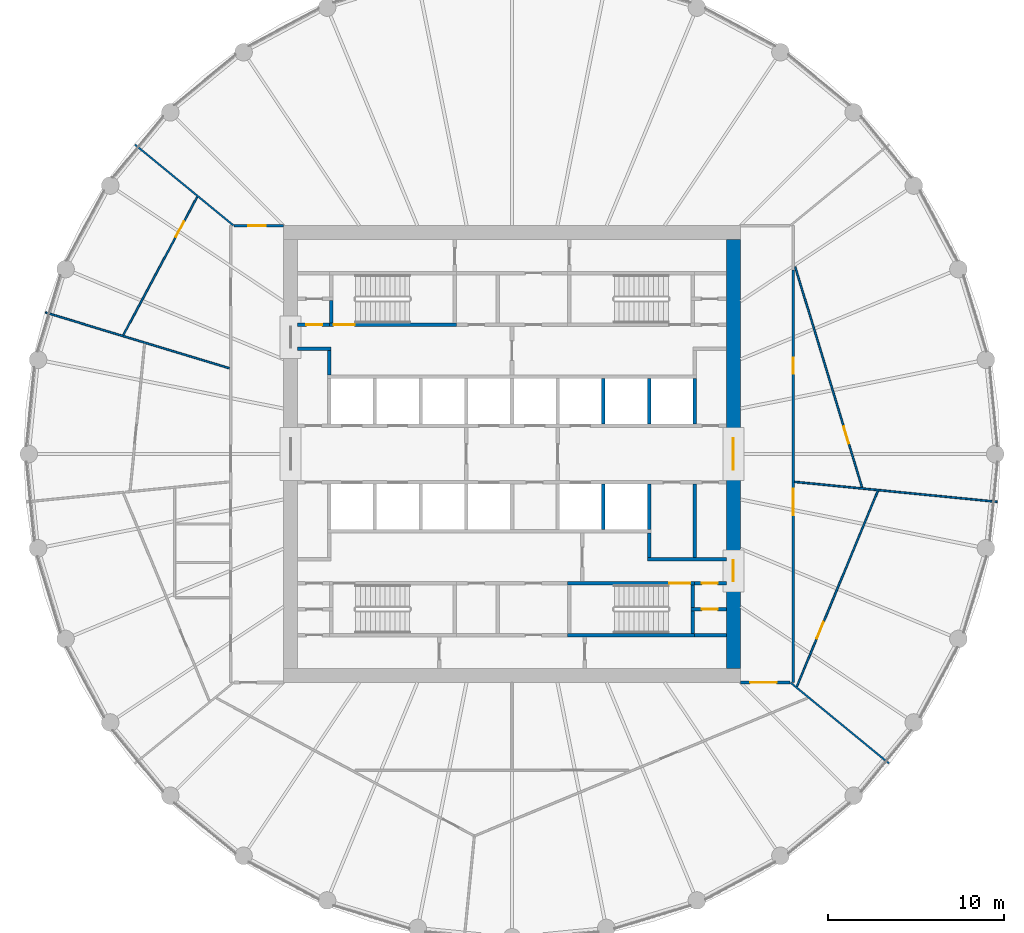
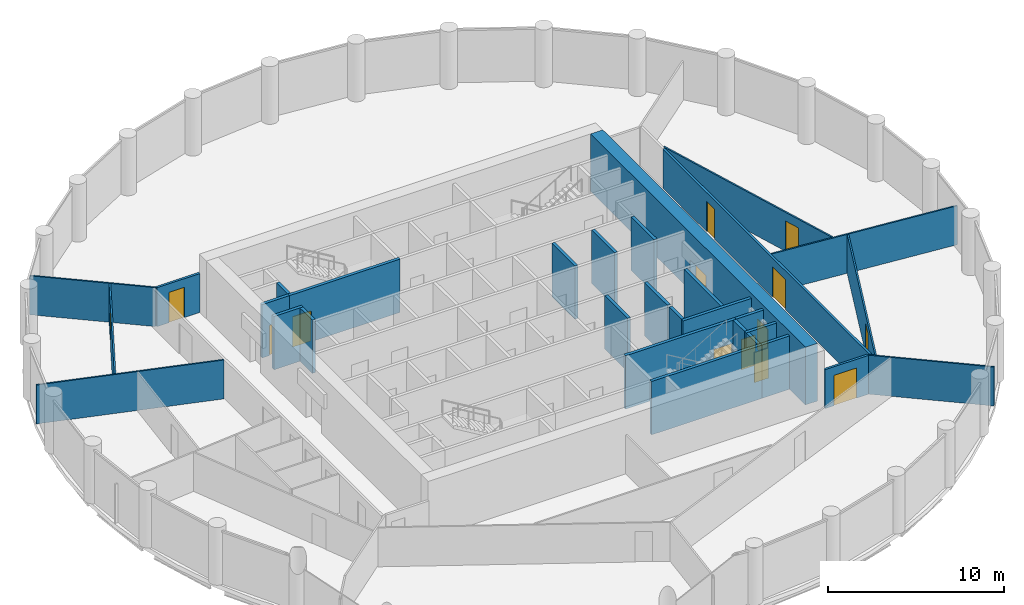
# One storey, part 6 of 9: 31 walls, 14 doors, 14 openings.
"""IFC4 building model written with IfcOpenShell, lengths in metres."""

from ifc_helpers import new_model, si_unit, direction, frame, frame_2d, origin, place, context, subcontext, project, spatial, polyline, rectangle, outline, extrude, material, layer, layer_set, type_object, element, fill, save


model = new_model("IFC4")

# Units and contexts
model_context = context("Model", 3, precision=1e-05, world=origin(), true_north=direction((0.0, 1.0)))
body_context = subcontext(model_context, "Body", "Model", "MODEL_VIEW")
ifc_project = project(units=[si_unit("LENGTHUNIT", "METRE"), si_unit("AREAUNIT", "SQUARE_METRE"), si_unit("VOLUMEUNIT", "CUBIC_METRE"), si_unit("PLANEANGLEUNIT", "RADIAN"), si_unit("MASSUNIT", "GRAM", prefix="KILO")], contexts=[model_context])

# Site, building, storey
site_placement = place(None, origin())
site = spatial("IfcSite", under=ifc_project, at=site_placement, CompositionType="ELEMENT")
building_placement = place(site_placement, origin())
building = spatial("IfcBuilding", under=site, at=building_placement, Name="Corvane Civic Tower", CompositionType="ELEMENT")
storey_placement = place(building_placement, frame((0.0, 0.0, 221.5)))
storey = spatial("IfcBuildingStorey", under=building, at=storey_placement, Name="L52", CompositionType="ELEMENT", Elevation=221.5)

# Wall, openings, doors
ifc_material_1 = material(Name="Concrete C50/60", Category="concrete")
ifc_layer_1 = layer(ifc_material_1, 0.800048828125)
ifc_layer_set_1 = layer_set([ifc_layer_1], Name="Concrete C50/60")
wall_type_1 = type_object("IfcWallType", Name="CORE WALL 800 C50/60", PredefinedType="SHEAR", material=ifc_layer_set_1)
wall_1_placement = place(storey_placement, frame((12.60009765625, -12.199951171875, 0.0), z_axis=(0.0, 0.0, 1.0), x_axis=(0.0, 1.0, 0.0)))
wall_1 = element("IfcWall", 1, at=wall_1_placement, inside=storey, type_object=wall_type_1, Name="W-L52-core-E", PredefinedType="SHEAR", context=body_context, shape_type="SweptSolid", body=[
    extrude(rectangle(XDim=24.39990234375, YDim=0.800048828125, at=frame_2d((12.199951171875, 0.0))), origin(), (0.0, 0.0, 1.0), 4.0),
])
opening_1_placement = place(wall_1_placement, frame((11.300048828125, 0.0, 0.0)))
opening_1 = element("IfcOpeningElement", 2, at=opening_1_placement, cuts=wall_1, Name="Opening L52.C35", PredefinedType="OPENING", context=body_context, shape_type="SweptSolid", body=[
    extrude(rectangle(XDim=1.800048828125, YDim=2.10009765625, at=frame_2d((0.89990234375, 1.050048828125))), frame((0.0, 0.409912109375, 0.0), z_axis=(0.0, -1.0, 0.0), x_axis=(1.0, 0.0, 0.0)), (0.0, 0.0, 1.0), 0.820068359375),
])
opening_2_placement = place(wall_1_placement, frame((4.949951171875, 0.0, 0.0)))
opening_2 = element("IfcOpeningElement", 3, at=opening_2_placement, cuts=wall_1, Name="Opening L52.C37", PredefinedType="OPENING", context=body_context, shape_type="SweptSolid", body=[
    extrude(rectangle(XDim=1.199951171875, YDim=2.10009765625, at=frame_2d((0.60009765625, 1.050048828125))), frame((0.0, 0.409912109375, 0.0), z_axis=(0.0, -1.0, 0.0), x_axis=(1.0, 0.0, 0.0)), (0.0, 0.0, 1.0), 0.820068359375),
])
ifc_material_2 = material(Name="Steel fire door leaf", Category="steel")
door_type_1 = type_object("IfcDoorType", Name="CR-DOOR-CORE-1800", OperationType="DOUBLE_DOOR_SINGLE_SWING", PredefinedType="DOOR", material=ifc_material_2)
door_1_placement = place(opening_1_placement, origin())
door_1 = element("IfcDoor", 4, at=door_1_placement, inside=storey, type_object=door_type_1, Name="L52 door", OperationType="DOUBLE_DOOR_SINGLE_SWING", OverallHeight=2.10009765625, OverallWidth=1.800048828125, PredefinedType="DOOR", context=body_context, shape_type="SweptSolid", body=[
    extrude(rectangle(XDim=1.800048828125, YDim=2.10009765625, at=frame_2d((0.89990234375, 1.050048828125))), frame((0.0, 0.02490234375, 0.0), z_axis=(0.0, -1.0, 0.0), x_axis=(1.0, 0.0, 0.0)), (0.0, 0.0, 1.0), 0.050048828125),
])
fill(opening_1, door_1)
door_2_placement = place(opening_2_placement, origin())
door_2 = element("IfcDoor", 5, at=door_2_placement, inside=storey, type_object=door_type_1, Name="L52 door", OperationType="DOUBLE_DOOR_SINGLE_SWING", OverallHeight=2.10009765625, OverallWidth=1.199951171875, PredefinedType="DOOR", context=body_context, shape_type="SweptSolid", body=[
    extrude(rectangle(XDim=1.199951171875, YDim=2.10009765625, at=frame_2d((0.60009765625, 1.050048828125))), frame((0.0, 0.02490234375, 0.0), z_axis=(0.0, -1.0, 0.0), x_axis=(1.0, 0.0, 0.0)), (0.0, 0.0, 1.0), 0.050048828125),
])
fill(opening_2, door_2)

# Wall, opening, door
ifc_material_3 = material(Name="Concrete C30/37", Category="concrete")
ifc_layer_2 = layer(ifc_material_3, 0.199951171875)
ifc_layer_set_2 = layer_set([ifc_layer_2], Name="Concrete C30/37")
wall_type_2 = type_object("IfcWallType", Name="CR-WALL-200", PredefinedType="PARTITIONING", material=ifc_layer_set_2)
wall_2_placement = place(storey_placement, frame((10.199951171875, -8.824951171875, 0.0), z_axis=(0.0, 0.0, 1.0), x_axis=(1.0, 0.0, 0.0)))
wall_2 = element("IfcWall", 6, at=wall_2_placement, inside=storey, type_object=wall_type_2, Name="L52 partition wall", PredefinedType="PARTITIONING", context=body_context, shape_type="SweptSolid", body=[
    extrude(rectangle(XDim=2.0, YDim=0.199951171875, at=frame_2d((1.0, 0.0))), origin(), (0.0, 0.0, 1.0), 3.699951171875),
])
opening_3_placement = place(wall_2_placement, frame((0.60009765625, 0.0, 0.0)))
opening_3 = element("IfcOpeningElement", 7, at=opening_3_placement, cuts=wall_2, Name="Opening L52.C25", PredefinedType="OPENING", context=body_context, shape_type="SweptSolid", body=[
    extrude(rectangle(XDim=0.89990234375, YDim=2.10009765625, at=frame_2d((0.449951171875, 1.050048828125))), frame((0.0, 0.10986328125, 0.0), z_axis=(0.0, -1.0, 0.0), x_axis=(1.0, 0.0, 0.0)), (0.0, 0.0, 1.0), 0.219970703125),
])
ifc_material_4 = material(Name="Steel fire door leaf", Category="steel")
door_type_2 = type_object("IfcDoorType", Name="CR-DOOR-900", OperationType="SINGLE_SWING_LEFT", PredefinedType="DOOR", material=ifc_material_4)
door_3_placement = place(opening_3_placement, origin())
door_3 = element("IfcDoor", 8, at=door_3_placement, inside=storey, type_object=door_type_2, Name="L52 door", OperationType="SINGLE_SWING_LEFT", OverallHeight=2.10009765625, OverallWidth=0.89990234375, PredefinedType="DOOR", context=body_context, shape_type="SweptSolid", body=[
    extrude(rectangle(XDim=0.89990234375, YDim=2.10009765625, at=frame_2d((0.449951171875, 1.050048828125))), frame((0.0, 0.02490234375, 0.0), z_axis=(0.0, -1.0, 0.0), x_axis=(1.0, 0.0, 0.0)), (0.0, 0.0, 1.0), 0.050048828125),
])
fill(opening_3, door_3)

wall_3_placement = place(storey_placement, frame((10.39990234375, -7.35009765625, 0.0), z_axis=(0.0, 0.0, 1.0), x_axis=(1.0, 0.0, 0.0)))
wall_3 = element("IfcWall", 9, at=wall_3_placement, inside=storey, type_object=wall_type_2, Name="L52 core partition wall", PredefinedType="PARTITIONING", context=body_context, shape_type="SweptSolid", body=[
    extrude(rectangle(XDim=1.800048828125, YDim=0.199951171875, at=frame_2d((0.89990234375, 0.0))), origin(), (0.0, 0.0, 1.0), 3.699951171875),
])
opening_4_placement = place(wall_3_placement, frame((0.39990234375, 0.0, 0.0)))
opening_4 = element("IfcOpeningElement", 10, at=opening_4_placement, cuts=wall_3, Name="Opening L52.C24", PredefinedType="OPENING", context=body_context, shape_type="SweptSolid", body=[
    extrude(rectangle(XDim=0.89990234375, YDim=2.10009765625, at=frame_2d((0.449951171875, 1.050048828125))), frame((0.0, 0.10986328125, 0.0), z_axis=(0.0, -1.0, 0.0), x_axis=(1.0, 0.0, 0.0)), (0.0, 0.0, 1.0), 0.219970703125),
])
door_4_placement = place(opening_4_placement, origin())
door_4 = element("IfcDoor", 11, at=door_4_placement, inside=storey, type_object=door_type_2, Name="L52 door", OperationType="SINGLE_SWING_LEFT", OverallHeight=2.10009765625, OverallWidth=0.89990234375, PredefinedType="DOOR", context=body_context, shape_type="SweptSolid", body=[
    extrude(rectangle(XDim=0.89990234375, YDim=2.10009765625, at=frame_2d((0.449951171875, 1.050048828125))), frame((0.0, 0.02490234375, 0.0), z_axis=(0.0, -1.0, 0.0), x_axis=(1.0, 0.0, 0.0)), (0.0, 0.0, 1.0), 0.050048828125),
])
fill(opening_4, door_4)

wall_4_placement = place(storey_placement, frame((-12.199951171875, 7.35009765625, 0.0), z_axis=(0.0, 0.0, 1.0), x_axis=(1.0, 0.0, 0.0)))
wall_4 = element("IfcWall", 12, at=wall_4_placement, inside=storey, type_object=wall_type_2, Name="L52 core partition wall", PredefinedType="PARTITIONING", context=body_context, shape_type="SweptSolid", body=[
    extrude(rectangle(XDim=1.800048828125, YDim=0.199951171875, at=frame_2d((0.89990234375, 0.0))), origin(), (0.0, 0.0, 1.0), 3.699951171875),
])
opening_5_placement = place(wall_4_placement, frame((0.5, 0.0, 0.0)))
opening_5 = element("IfcOpeningElement", 13, at=opening_5_placement, cuts=wall_4, Name="Opening L52.C17", PredefinedType="OPENING", context=body_context, shape_type="SweptSolid", body=[
    extrude(rectangle(XDim=0.89990234375, YDim=2.10009765625, at=frame_2d((0.449951171875, 1.050048828125))), frame((0.0, 0.10986328125, 0.0), z_axis=(0.0, -1.0, 0.0), x_axis=(1.0, 0.0, 0.0)), (0.0, 0.0, 1.0), 0.219970703125),
])
door_5_placement = place(opening_5_placement, origin())
door_5 = element("IfcDoor", 14, at=door_5_placement, inside=storey, type_object=door_type_2, Name="L52 door", OperationType="SINGLE_SWING_LEFT", OverallHeight=2.10009765625, OverallWidth=0.89990234375, PredefinedType="DOOR", context=body_context, shape_type="SweptSolid", body=[
    extrude(rectangle(XDim=0.89990234375, YDim=2.10009765625, at=frame_2d((0.449951171875, 1.050048828125))), frame((0.0, 0.02490234375, 0.0), z_axis=(0.0, -1.0, 0.0), x_axis=(1.0, 0.0, 0.0)), (0.0, 0.0, 1.0), 0.050048828125),
])
fill(opening_5, door_5)

# Walls
wall_5_placement = place(storey_placement, origin())
element("IfcWall", 15, at=wall_5_placement, inside=storey, type_object=wall_type_2, Name="L52 core partition wall", PredefinedType="PARTITIONING", context=body_context, shape_type="SweptSolid", body=[
    extrude(outline(polyline([(12.199951171875, -6.10009765625), (7.699951171875, -6.10009765625), (7.699951171875, -5.89990234375), (12.199951171875, -5.89990234375), (12.199951171875, -6.10009765625)])), origin(), (0.0, 0.0, 1.0), 3.699951171875),
])
wall_6_placement = place(storey_placement, origin())
element("IfcWall", 16, at=wall_6_placement, inside=storey, type_object=wall_type_2, Name="L52 core partition wall", PredefinedType="PARTITIONING", context=body_context, shape_type="SweptSolid", body=[
    extrude(outline(polyline([(10.5, -1.699951171875), (10.5, -5.89990234375), (10.300048828125, -5.89990234375), (10.300048828125, -1.699951171875), (10.5, -1.699951171875)])), origin(), (0.0, 0.0, 1.0), 3.699951171875),
])
wall_7_placement = place(storey_placement, origin())
element("IfcWall", 17, at=wall_7_placement, inside=storey, type_object=wall_type_2, Name="L52 core partition wall", PredefinedType="PARTITIONING", context=body_context, shape_type="SweptSolid", body=[
    extrude(outline(polyline([(5.300048828125, -1.699951171875), (5.300048828125, -4.2998046875), (5.10009765625, -4.2998046875), (5.10009765625, -1.699951171875), (5.300048828125, -1.699951171875)])), origin(), (0.0, 0.0, 1.0), 3.699951171875),
])
wall_8_placement = place(storey_placement, origin())
element("IfcWall", 18, at=wall_8_placement, inside=storey, type_object=wall_type_2, Name="L52 core partition wall", PredefinedType="PARTITIONING", context=body_context, shape_type="SweptSolid", body=[
    extrude(outline(polyline([(7.89990234375, -1.699951171875), (7.89990234375, -4.2998046875), (7.699951171875, -4.2998046875), (7.699951171875, -1.699951171875), (7.89990234375, -1.699951171875)])), origin(), (0.0, 0.0, 1.0), 3.699951171875),
])
wall_9_placement = place(storey_placement, origin())
element("IfcWall", 19, at=wall_9_placement, inside=storey, type_object=wall_type_2, Name="L52 core partition wall", PredefinedType="PARTITIONING", context=body_context, shape_type="SweptSolid", body=[
    extrude(outline(polyline([(7.89990234375, -5.89990234375), (7.699951171875, -5.89990234375), (7.699951171875, -4.5), (7.89990234375, -4.5), (7.89990234375, -5.89990234375)])), origin(), (0.0, 0.0, 1.0), 3.699951171875),
])
wall_10_placement = place(storey_placement, origin())
element("IfcWall", 20, at=wall_10_placement, inside=storey, type_object=wall_type_2, Name="L52 core partition wall", PredefinedType="PARTITIONING", context=body_context, shape_type="SweptSolid", body=[
    extrude(outline(polyline([(5.300048828125, 1.699951171875), (5.10009765625, 1.699951171875), (5.10009765625, 4.2998046875), (5.300048828125, 4.2998046875), (5.300048828125, 1.699951171875)])), origin(), (0.0, 0.0, 1.0), 3.699951171875),
])
wall_11_placement = place(storey_placement, origin())
element("IfcWall", 21, at=wall_11_placement, inside=storey, type_object=wall_type_2, Name="L52 core partition wall", PredefinedType="PARTITIONING", context=body_context, shape_type="SweptSolid", body=[
    extrude(outline(polyline([(7.89990234375, 1.699951171875), (7.699951171875, 1.699951171875), (7.699951171875, 4.2998046875), (7.89990234375, 4.2998046875), (7.89990234375, 1.699951171875)])), origin(), (0.0, 0.0, 1.0), 3.699951171875),
])
wall_12_placement = place(storey_placement, origin())
element("IfcWall", 22, at=wall_12_placement, inside=storey, type_object=wall_type_2, Name="L52 core partition wall", PredefinedType="PARTITIONING", context=body_context, shape_type="SweptSolid", body=[
    extrude(outline(polyline([(10.5, 1.699951171875), (10.300048828125, 1.699951171875), (10.300048828125, 4.2998046875), (10.5, 4.2998046875), (10.5, 1.699951171875)])), origin(), (0.0, 0.0, 1.0), 3.699951171875),
])
wall_13_placement = place(storey_placement, origin())
element("IfcWall", 23, at=wall_13_placement, inside=storey, type_object=wall_type_2, Name="L52 core partition wall", PredefinedType="PARTITIONING", context=body_context, shape_type="SweptSolid", body=[
    extrude(outline(polyline([(-10.300048828125, 5.89990234375), (-12.199951171875, 5.89990234375), (-12.199951171875, 6.10009765625), (-10.300048828125, 6.10009765625), (-10.300048828125, 5.89990234375)])), origin(), (0.0, 0.0, 1.0), 3.699951171875),
])
wall_14_placement = place(storey_placement, origin())
element("IfcWall", 24, at=wall_14_placement, inside=storey, type_object=wall_type_2, Name="L52 core partition wall", PredefinedType="PARTITIONING", context=body_context, shape_type="SweptSolid", body=[
    extrude(outline(polyline([(-10.300048828125, 4.5), (-10.5, 4.5), (-10.5, 5.89990234375), (-10.300048828125, 5.89990234375), (-10.300048828125, 4.5)])), origin(), (0.0, 0.0, 1.0), 3.699951171875),
])
wall_15_placement = place(storey_placement, origin())
element("IfcWall", 25, at=wall_15_placement, inside=storey, type_object=wall_type_2, Name="L52 core partition wall", PredefinedType="PARTITIONING", context=body_context, shape_type="SweptSolid", body=[
    extrude(outline(polyline([(10.39990234375, -10.39990234375), (10.39990234375, -10.199951171875), (12.199951171875, -10.199951171875), (12.199951171875, -10.39990234375), (10.39990234375, -10.39990234375)])), origin(), (0.0, 0.0, 1.0), 3.699951171875),
])
ifc_material_5 = material(Name="Plasterboard")
ifc_layer_3 = layer(ifc_material_5, 0.10009765625)
ifc_layer_set_3 = layer_set([ifc_layer_3], Name="Plasterboard")
wall_type_3 = type_object("IfcWallType", Name="Partition 100 plasterboard on studs", PredefinedType="PARTITIONING", material=ifc_layer_set_3)
wall_16_placement = place(storey_placement, frame((15.8544921875, -13.01123046875, 0.0), z_axis=(0.0, 0.0, 1.0), x_axis=(0.772997895748, -0.634408585352, 0.0)))
element("IfcWall", 26, at=wall_16_placement, inside=storey, type_object=wall_type_3, Name="Partition L52.007", PredefinedType="PARTITIONING", context=body_context, shape_type="SweptSolid", body=[
    extrude(rectangle(XDim=7.240234375, YDim=0.10009765625, at=frame_2d((3.6201171875, 0.0))), origin(), (0.0, 0.0, 1.0), 2.699951171875),
])

# Wall, opening, door
wall_17_placement = place(storey_placement, frame((16.214111328125, -13.22314453125, 0.0), z_axis=(0.0, 0.0, 1.0), x_axis=(0.382678182982, 0.92388170686, 0.0)))
wall_17 = element("IfcWall", 27, at=wall_17_placement, inside=storey, type_object=wall_type_3, Name="Partition L52.009", PredefinedType="PARTITIONING", context=body_context, shape_type="SweptSolid", body=[
    extrude(rectangle(XDim=12.0234375, YDim=0.10009765625, at=frame_2d((6.01171875, 0.0))), origin(), (0.0, 0.0, 1.0), 2.699951171875),
])
opening_6_placement = place(wall_17_placement, frame((2.95654296875, 0.0, 0.0)))
opening_6 = element("IfcOpeningElement", 28, at=opening_6_placement, cuts=wall_17, Name="Opening L52.009", PredefinedType="OPENING", context=body_context, shape_type="SweptSolid", body=[
    extrude(rectangle(XDim=1.0, YDim=2.10009765625, at=frame_2d((0.5, 1.050048828125))), frame((0.0, 0.06005859375, 0.0), z_axis=(0.0, -1.0, 0.0), x_axis=(1.0, 0.0, 0.0)), (0.0, 0.0, 1.0), 0.1201171875),
])
ifc_material_6 = material(Name="Timber", Category="wood")
door_type_3 = type_object("IfcDoorType", Name="Single door 1000", OperationType="NOTDEFINED", PredefinedType="DOOR", material=ifc_material_6)
door_6_placement = place(opening_6_placement, frame((1.0, 0.0, 0.0), z_axis=(0.0, 0.0, 1.0), x_axis=(-1.0, 0.0, 0.0)))
door_6 = element("IfcDoor", 29, at=door_6_placement, inside=storey, type_object=door_type_3, Name="Door L52.009", OperationType="SINGLE_SWING_LEFT", OverallHeight=2.10009765625, OverallWidth=1.0, PredefinedType="DOOR", context=body_context, shape_type="SweptSolid", body=[
    extrude(rectangle(XDim=1.0, YDim=2.10009765625, at=frame_2d((0.5, 1.050048828125))), frame((0.0, 0.02490234375, 0.0), z_axis=(0.0, -1.0, 0.0), x_axis=(1.0, 0.0, 0.0)), (0.0, 0.0, 1.0), 0.050048828125),
])
fill(opening_6, door_6)

# Wall
wall_18_placement = place(storey_placement, frame((16.079833984375, -1.583740234375, 0.0), z_axis=(0.0, 0.0, 1.0), x_axis=(0.995184958345, -0.098014788084, 0.0)))
element("IfcWall", 30, at=wall_18_placement, inside=storey, type_object=wall_type_3, Name="Partition L52.019", PredefinedType="PARTITIONING", context=body_context, shape_type="SweptSolid", body=[
    extrude(rectangle(XDim=11.592529296875, YDim=0.10009765625, at=frame_2d((5.79638671875, 0.0))), origin(), (0.0, 0.0, 1.0), 2.699951171875),
])

# Wall, opening, door
wall_19_placement = place(storey_placement, frame((16.1162109375, 10.655517578125, 0.0), z_axis=(0.0, 0.0, 1.0), x_axis=(0.290282810355, -0.956940902048, 0.0)))
wall_19 = element("IfcWall", 31, at=wall_19_placement, inside=storey, type_object=wall_type_3, Name="Partition L52.022", PredefinedType="PARTITIONING", context=body_context, shape_type="SweptSolid", body=[
    extrude(rectangle(XDim=13.11279296875, YDim=0.10009765625, at=frame_2d((6.556396484375, 0.0))), origin(), (0.0, 0.0, 1.0), 2.699951171875),
])
opening_7_placement = place(wall_19_placement, frame((9.5048828125, 0.0, 0.0)))
opening_7 = element("IfcOpeningElement", 32, at=opening_7_placement, cuts=wall_19, Name="Opening L52.007", PredefinedType="OPENING", context=body_context, shape_type="SweptSolid", body=[
    extrude(rectangle(XDim=1.0, YDim=2.10009765625, at=frame_2d((0.5, 1.050048828125))), frame((0.0, 0.06005859375, 0.0), z_axis=(0.0, -1.0, 0.0), x_axis=(1.0, 0.0, 0.0)), (0.0, 0.0, 1.0), 0.1201171875),
])
door_7_placement = place(opening_7_placement, origin())
door_7 = element("IfcDoor", 33, at=door_7_placement, inside=storey, type_object=door_type_3, Name="Door L52.007", OperationType="SINGLE_SWING_LEFT", OverallHeight=2.10009765625, OverallWidth=1.0, PredefinedType="DOOR", context=body_context, shape_type="SweptSolid", body=[
    extrude(rectangle(XDim=1.0, YDim=2.10009765625, at=frame_2d((0.5, 1.050048828125))), frame((0.0, 0.02490234375, 0.0), z_axis=(0.0, -1.0, 0.0), x_axis=(1.0, 0.0, 0.0)), (0.0, 0.0, 1.0), 0.050048828125),
])
fill(opening_7, door_7)

# Wall
wall_20_placement = place(storey_placement, frame((-26.555419921875, 8.055419921875, 0.0), z_axis=(0.0, 0.0, 1.0), x_axis=(0.956939502521, -0.290287423971, 0.0)))
element("IfcWall", 34, at=wall_20_placement, inside=storey, type_object=wall_type_3, Name="Partition L52.023", PredefinedType="PARTITIONING", context=body_context, shape_type="SweptSolid", body=[
    extrude(rectangle(XDim=10.936767578125, YDim=0.10009765625, at=frame_2d((5.46826171875, 0.0))), origin(), (0.0, 0.0, 1.0), 2.699951171875),
])

# Wall, opening, door
wall_21_placement = place(storey_placement, frame((-22.119384765625, 6.772216796875, 0.0), z_axis=(0.0, 0.0, 1.0), x_axis=(0.471383151243, 0.881928525859, 0.0)))
wall_21 = element("IfcWall", 35, at=wall_21_placement, inside=storey, type_object=wall_type_3, Name="Partition L52.024", PredefinedType="PARTITIONING", context=body_context, shape_type="SweptSolid", body=[
    extrude(rectangle(XDim=8.90869140625, YDim=0.10009765625, at=frame_2d((4.454345703125, 0.0))), origin(), (0.0, 0.0, 1.0), 2.699951171875),
])
opening_8_placement = place(wall_21_placement, frame((6.32470703125, 0.0, 0.0)))
opening_8 = element("IfcOpeningElement", 36, at=opening_8_placement, cuts=wall_21, Name="Opening L52.018", PredefinedType="OPENING", context=body_context, shape_type="SweptSolid", body=[
    extrude(rectangle(XDim=1.0, YDim=2.10009765625, at=frame_2d((0.5, 1.050048828125))), frame((0.0, 0.06005859375, 0.0), z_axis=(0.0, -1.0, 0.0), x_axis=(1.0, 0.0, 0.0)), (0.0, 0.0, 1.0), 0.1201171875),
])
door_8_placement = place(opening_8_placement, origin())
door_8 = element("IfcDoor", 37, at=door_8_placement, inside=storey, type_object=door_type_3, Name="Door L52.018", OperationType="SINGLE_SWING_LEFT", OverallHeight=2.10009765625, OverallWidth=1.0, PredefinedType="DOOR", context=body_context, shape_type="SweptSolid", body=[
    extrude(rectangle(XDim=1.0, YDim=2.10009765625, at=frame_2d((0.5, 1.050048828125))), frame((0.0, 0.02490234375, 0.0), z_axis=(0.0, -1.0, 0.0), x_axis=(1.0, 0.0, 0.0)), (0.0, 0.0, 1.0), 0.050048828125),
])
fill(opening_8, door_8)

# Wall
wall_22_placement = place(storey_placement, frame((-21.451171875, 17.6044921875, 0.0), z_axis=(0.0, 0.0, 1.0), x_axis=(0.773014432023, -0.634388436121, 0.0)))
element("IfcWall", 38, at=wall_22_placement, inside=storey, type_object=wall_type_3, Name="Partition L52.028", PredefinedType="PARTITIONING", context=body_context, shape_type="SweptSolid", body=[
    extrude(rectangle(XDim=7.239990234375, YDim=0.10009765625, at=frame_2d((3.6201171875, 0.0))), origin(), (0.0, 0.0, 1.0), 2.699951171875),
])

# Wall, opening, door
ifc_material_7 = material(Name="Concrete C50/60", Category="concrete")
ifc_layer_4 = layer(ifc_material_7, 0.199951171875)
ifc_layer_set_4 = layer_set([ifc_layer_4], Name="Concrete C50/60")
wall_type_4 = type_object("IfcWallType", Name="ST-WALL-200", PredefinedType="SHEAR", material=ifc_layer_set_4)
wall_23_placement = place(storey_placement, frame((3.14990234375, -7.35009765625, 0.0), z_axis=(0.0, 0.0, 1.0), x_axis=(1.0, 0.0, 0.0)))
wall_23 = element("IfcWall", 39, at=wall_23_placement, inside=storey, type_object=wall_type_4, Name="L52 stair enclosure wall", PredefinedType="SHEAR", context=body_context, shape_type="SweptSolid", body=[
    extrude(rectangle(XDim=7.25, YDim=0.199951171875, at=frame_2d((3.625, 0.0))), origin(), (0.0, 0.0, 1.0), 3.699951171875),
])
opening_9_placement = place(wall_23_placement, frame((5.800048828125, 0.0, 0.0)))
opening_9 = element("IfcOpeningElement", 40, at=opening_9_placement, cuts=wall_23, Name="Opening L52.C28", PredefinedType="OPENING", context=body_context, shape_type="SweptSolid", body=[
    extrude(rectangle(XDim=1.199951171875, YDim=2.10009765625, at=frame_2d((0.60009765625, 1.050048828125))), frame((0.0, 0.10986328125, 0.0), z_axis=(0.0, -1.0, 0.0), x_axis=(1.0, 0.0, 0.0)), (0.0, 0.0, 1.0), 0.219970703125),
])
ifc_material_8 = material(Name="Steel fire door leaf", Category="steel")
door_type_4 = type_object("IfcDoorType", Name="ST-DOOR-1200", OperationType="SINGLE_SWING_RIGHT", PredefinedType="DOOR", material=ifc_material_8)
door_9_placement = place(opening_9_placement, origin())
door_9 = element("IfcDoor", 41, at=door_9_placement, inside=storey, type_object=door_type_4, Name="L52 stair door", OperationType="SINGLE_SWING_RIGHT", OverallHeight=2.10009765625, OverallWidth=1.199951171875, PredefinedType="DOOR", context=body_context, shape_type="SweptSolid", body=[
    extrude(rectangle(XDim=1.199951171875, YDim=2.10009765625, at=frame_2d((0.60009765625, 1.050048828125))), frame((0.0, 0.02490234375, 0.0), z_axis=(0.0, -1.0, 0.0), x_axis=(1.0, 0.0, 0.0)), (0.0, 0.0, 1.0), 0.050048828125),
])
fill(opening_9, door_9)

wall_24_placement = place(storey_placement, frame((-10.39990234375, 7.35009765625, 0.0), z_axis=(0.0, 0.0, 1.0), x_axis=(1.0, 0.0, 0.0)))
wall_24 = element("IfcWall", 42, at=wall_24_placement, inside=storey, type_object=wall_type_4, Name="L52 stair enclosure wall", PredefinedType="SHEAR", context=body_context, shape_type="SweptSolid", body=[
    extrude(rectangle(XDim=7.25, YDim=0.199951171875, at=frame_2d((3.625, 0.0))), origin(), (0.0, 0.0, 1.0), 3.699951171875),
])
opening_10_placement = place(wall_24_placement, frame((0.25, 0.0, 0.0)))
opening_10 = element("IfcOpeningElement", 43, at=opening_10_placement, cuts=wall_24, Name="Opening L52.C27", PredefinedType="OPENING", context=body_context, shape_type="SweptSolid", body=[
    extrude(rectangle(XDim=1.199951171875, YDim=2.10009765625, at=frame_2d((0.60009765625, 1.050048828125))), frame((0.0, 0.10986328125, 0.0), z_axis=(0.0, -1.0, 0.0), x_axis=(1.0, 0.0, 0.0)), (0.0, 0.0, 1.0), 0.219970703125),
])
door_10_placement = place(opening_10_placement, origin())
door_10 = element("IfcDoor", 44, at=door_10_placement, inside=storey, type_object=door_type_4, Name="L52 stair door", OperationType="SINGLE_SWING_RIGHT", OverallHeight=2.10009765625, OverallWidth=1.199951171875, PredefinedType="DOOR", context=body_context, shape_type="SweptSolid", body=[
    extrude(rectangle(XDim=1.199951171875, YDim=2.10009765625, at=frame_2d((0.60009765625, 1.050048828125))), frame((0.0, 0.02490234375, 0.0), z_axis=(0.0, -1.0, 0.0), x_axis=(1.0, 0.0, 0.0)), (0.0, 0.0, 1.0), 0.050048828125),
])
fill(opening_10, door_10)

# Walls
wall_25_placement = place(storey_placement, origin())
element("IfcWall", 45, at=wall_25_placement, inside=storey, type_object=wall_type_4, Name="L52 stair enclosure wall", PredefinedType="SHEAR", context=body_context, shape_type="SweptSolid", body=[
    extrude(outline(polyline([(10.39990234375, -10.39990234375), (3.14990234375, -10.39990234375), (3.14990234375, -10.199951171875), (10.39990234375, -10.199951171875), (10.39990234375, -10.39990234375)])), origin(), (0.0, 0.0, 1.0), 3.699951171875),
])
wall_26_placement = place(storey_placement, origin())
element("IfcWall", 46, at=wall_26_placement, inside=storey, type_object=wall_type_4, Name="L52 stair enclosure wall", PredefinedType="SHEAR", context=body_context, shape_type="SweptSolid", body=[
    extrude(outline(polyline([(-10.199951171875, 8.72509765625), (-10.199951171875, 7.449951171875), (-10.39990234375, 7.449951171875), (-10.39990234375, 8.72509765625), (-10.199951171875, 8.72509765625)])), origin(), (0.0, 0.0, 1.0), 3.699951171875),
])
wall_27_placement = place(storey_placement, origin())
element("IfcWall", 47, at=wall_27_placement, inside=storey, type_object=wall_type_4, Name="L52 stair enclosure wall", PredefinedType="SHEAR", context=body_context, shape_type="SweptSolid", body=[
    extrude(outline(polyline([(10.39990234375, -7.449951171875), (10.39990234375, -8.72509765625), (10.199951171875, -8.72509765625), (10.199951171875, -7.449951171875), (10.39990234375, -7.449951171875)])), origin(), (0.0, 0.0, 1.0), 3.699951171875),
])
wall_28_placement = place(storey_placement, origin())
element("IfcWall", 48, at=wall_28_placement, inside=storey, type_object=wall_type_4, Name="L52 stair enclosure wall", PredefinedType="SHEAR", context=body_context, shape_type="SweptSolid", body=[
    extrude(outline(polyline([(10.39990234375, -8.925048828125), (10.39990234375, -10.199951171875), (10.199951171875, -10.199951171875), (10.199951171875, -8.925048828125), (10.39990234375, -8.925048828125)])), origin(), (0.0, 0.0, 1.0), 3.699951171875),
])

# Wall, opening, door
ifc_material_9 = material(Name="Plasterboard")
ifc_layer_5 = layer(ifc_material_9, 0.14990234375)
ifc_layer_set_5 = layer_set([ifc_layer_5], Name="Plasterboard")
wall_type_5 = type_object("IfcWallType", Name="Tenancy wall 150 EI 60", PredefinedType="PARTITIONING", material=ifc_layer_set_5)
wall_29_placement = place(storey_placement, frame((12.989990234375, -13.0, 0.0), z_axis=(0.0, 0.0, 1.0), x_axis=(1.0, 0.0, 0.0)))
wall_29 = element("IfcWall", 49, at=wall_29_placement, inside=storey, type_object=wall_type_5, Name="Partition L52.012", PredefinedType="PARTITIONING", context=body_context, shape_type="SweptSolid", body=[
    extrude(rectangle(XDim=2.82373046875, YDim=0.14990234375, at=frame_2d((1.411865234375, 0.0))), origin(), (0.0, 0.0, 1.0), 2.699951171875),
])
opening_11_placement = place(wall_29_placement, frame((0.568603515625, 0.0, 0.0)))
opening_11 = element("IfcOpeningElement", 50, at=opening_11_placement, cuts=wall_29, Name="Opening L52.005", PredefinedType="OPENING", context=body_context, shape_type="SweptSolid", body=[
    extrude(rectangle(XDim=1.5, YDim=2.10009765625, at=frame_2d((0.75, 1.050048828125))), frame((0.0, 0.0849609375, 0.0), z_axis=(0.0, -1.0, 0.0), x_axis=(1.0, 0.0, 0.0)), (0.0, 0.0, 1.0), 0.169921875),
])
ifc_material_10 = material(Name="Steel and timber", Category="steel")
door_type_5 = type_object("IfcDoorType", Name="Fire door FD60 double 1500", OperationType="NOTDEFINED", PredefinedType="DOOR", material=ifc_material_10)
door_11_placement = place(opening_11_placement, frame((1.5, 0.0, 0.0), z_axis=(0.0, 0.0, 1.0), x_axis=(-1.0, 0.0, 0.0)))
door_11 = element("IfcDoor", 51, at=door_11_placement, inside=storey, type_object=door_type_5, Name="Door L52.005", OperationType="DOUBLE_DOOR_SINGLE_SWING", OverallHeight=2.10009765625, OverallWidth=1.5, PredefinedType="DOOR", context=body_context, shape_type="SweptSolid", body=[
    extrude(rectangle(XDim=1.5, YDim=2.10009765625, at=frame_2d((0.75, 1.050048828125))), frame((0.0, 0.02490234375, 0.0), z_axis=(0.0, -1.0, 0.0), x_axis=(1.0, 0.0, 0.0)), (0.0, 0.0, 1.0), 0.050048828125),
])
fill(opening_11, door_11)

# Wall, openings, doors
wall_30_placement = place(storey_placement, frame((16.0, -13.0, 0.0), z_axis=(0.0, 0.0, 1.0), x_axis=(0.0, 1.0, 0.0)))
wall_30 = element("IfcWall", 52, at=wall_30_placement, inside=storey, type_object=wall_type_5, Name="Partition L52.013", PredefinedType="PARTITIONING", context=body_context, shape_type="SweptSolid", body=[
    extrude(rectangle(XDim=23.459716796875, YDim=0.14990234375, at=frame_2d((11.72998046875, 0.0))), origin(), (0.0, 0.0, 1.0), 2.699951171875),
])
opening_12_placement = place(wall_30_placement, frame((17.5654296875, 0.0, 0.0)))
opening_12 = element("IfcOpeningElement", 53, at=opening_12_placement, cuts=wall_30, Name="Opening L52.008", PredefinedType="OPENING", context=body_context, shape_type="SweptSolid", body=[
    extrude(rectangle(XDim=0.89990234375, YDim=2.10009765625, at=frame_2d((0.449951171875, 1.050048828125))), frame((0.0, 0.0849609375, 0.0), z_axis=(0.0, -1.0, 0.0), x_axis=(1.0, 0.0, 0.0)), (0.0, 0.0, 1.0), 0.169921875),
])
opening_13_placement = place(wall_30_placement, frame((9.5126953125, 0.0, 0.0)))
opening_13 = element("IfcOpeningElement", 54, at=opening_13_placement, cuts=wall_30, Name="Opening L52.010", PredefinedType="OPENING", context=body_context, shape_type="SweptSolid", body=[
    extrude(rectangle(XDim=1.5, YDim=2.10009765625, at=frame_2d((0.75, 1.050048828125))), frame((0.0, 0.0849609375, 0.0), z_axis=(0.0, -1.0, 0.0), x_axis=(1.0, 0.0, 0.0)), (0.0, 0.0, 1.0), 0.169921875),
])
ifc_material_11 = material(Name="Steel and timber", Category="steel")
door_type_6 = type_object("IfcDoorType", Name="Fire door FD30S 900", OperationType="NOTDEFINED", PredefinedType="DOOR", material=ifc_material_11)
door_12_placement = place(opening_12_placement, frame((0.89990234375, 0.0, 0.0), z_axis=(0.0, 0.0, 1.0), x_axis=(-1.0, 0.0, 0.0)))
door_12 = element("IfcDoor", 55, at=door_12_placement, inside=storey, type_object=door_type_6, Name="Door L52.008", OperationType="SINGLE_SWING_RIGHT", OverallHeight=2.10009765625, OverallWidth=0.89990234375, PredefinedType="DOOR", context=body_context, shape_type="SweptSolid", body=[
    extrude(rectangle(XDim=0.89990234375, YDim=2.10009765625, at=frame_2d((0.449951171875, 1.050048828125))), frame((0.0, 0.02490234375, 0.0), z_axis=(0.0, -1.0, 0.0), x_axis=(1.0, 0.0, 0.0)), (0.0, 0.0, 1.0), 0.050048828125),
])
fill(opening_12, door_12)
door_13_placement = place(opening_13_placement, frame((1.5, 0.0, 0.0), z_axis=(0.0, 0.0, 1.0), x_axis=(-1.0, 0.0, 0.0)))
door_13 = element("IfcDoor", 56, at=door_13_placement, inside=storey, type_object=door_type_5, Name="Door L52.010", OperationType="DOUBLE_DOOR_SINGLE_SWING", OverallHeight=2.10009765625, OverallWidth=1.5, PredefinedType="DOOR", context=body_context, shape_type="SweptSolid", body=[
    extrude(rectangle(XDim=1.5, YDim=2.10009765625, at=frame_2d((0.75, 1.050048828125))), frame((0.0, 0.02490234375, 0.0), z_axis=(0.0, -1.0, 0.0), x_axis=(1.0, 0.0, 0.0)), (0.0, 0.0, 1.0), 0.050048828125),
])
fill(opening_13, door_13)

# Wall, opening, door
wall_31_placement = place(storey_placement, frame((-15.813720703125, 13.0, 0.0), z_axis=(0.0, 0.0, 1.0), x_axis=(1.0, 0.0, 0.0)))
wall_31 = element("IfcWall", 57, at=wall_31_placement, inside=storey, type_object=wall_type_5, Name="Partition L52.026", PredefinedType="PARTITIONING", context=body_context, shape_type="SweptSolid", body=[
    extrude(rectangle(XDim=2.82373046875, YDim=0.14990234375, at=frame_2d((1.411865234375, 0.0))), origin(), (0.0, 0.0, 1.0), 2.699951171875),
])
opening_14_placement = place(wall_31_placement, frame((0.79248046875, 0.0, 0.0)))
opening_14 = element("IfcOpeningElement", 58, at=opening_14_placement, cuts=wall_31, Name="Opening L52.001", PredefinedType="OPENING", context=body_context, shape_type="SweptSolid", body=[
    extrude(rectangle(XDim=1.0, YDim=2.10009765625, at=frame_2d((0.5, 1.050048828125))), frame((0.0, 0.0849609375, 0.0), z_axis=(0.0, -1.0, 0.0), x_axis=(1.0, 0.0, 0.0)), (0.0, 0.0, 1.0), 0.169921875),
])
ifc_material_12 = material(Name="Steel and timber", Category="steel")
door_type_7 = type_object("IfcDoorType", Name="Fire door FD30S 1000", OperationType="NOTDEFINED", PredefinedType="DOOR", material=ifc_material_12)
door_14_placement = place(opening_14_placement, origin())
door_14 = element("IfcDoor", 59, at=door_14_placement, inside=storey, type_object=door_type_7, Name="Door L52.001", OperationType="SINGLE_SWING_LEFT", OverallHeight=2.10009765625, OverallWidth=1.0, PredefinedType="DOOR", context=body_context, shape_type="SweptSolid", body=[
    extrude(rectangle(XDim=1.0, YDim=2.10009765625, at=frame_2d((0.5, 1.050048828125))), frame((0.0, 0.02490234375, 0.0), z_axis=(0.0, -1.0, 0.0), x_axis=(1.0, 0.0, 0.0)), (0.0, 0.0, 1.0), 0.050048828125),
])
fill(opening_14, door_14)

save(model, "model.ifc")
